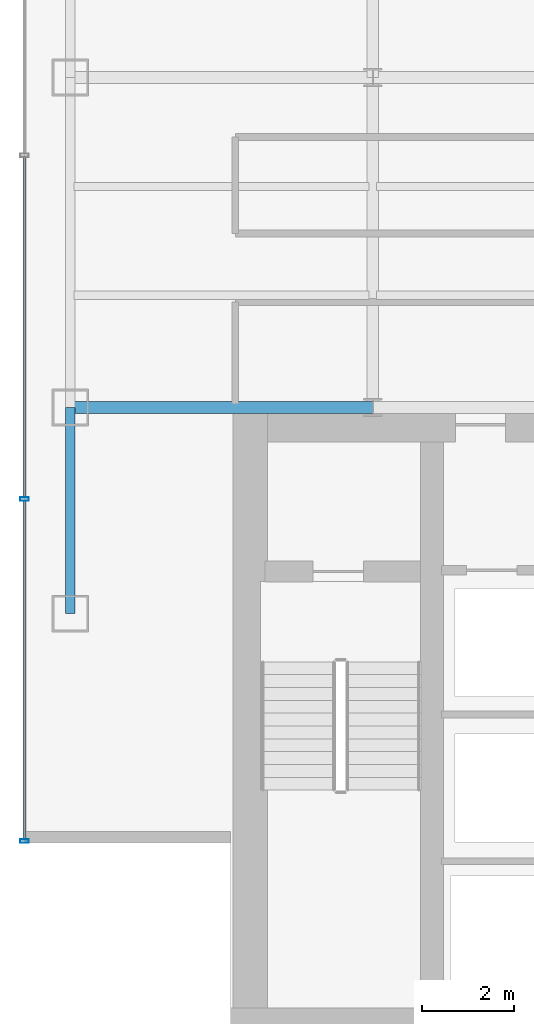
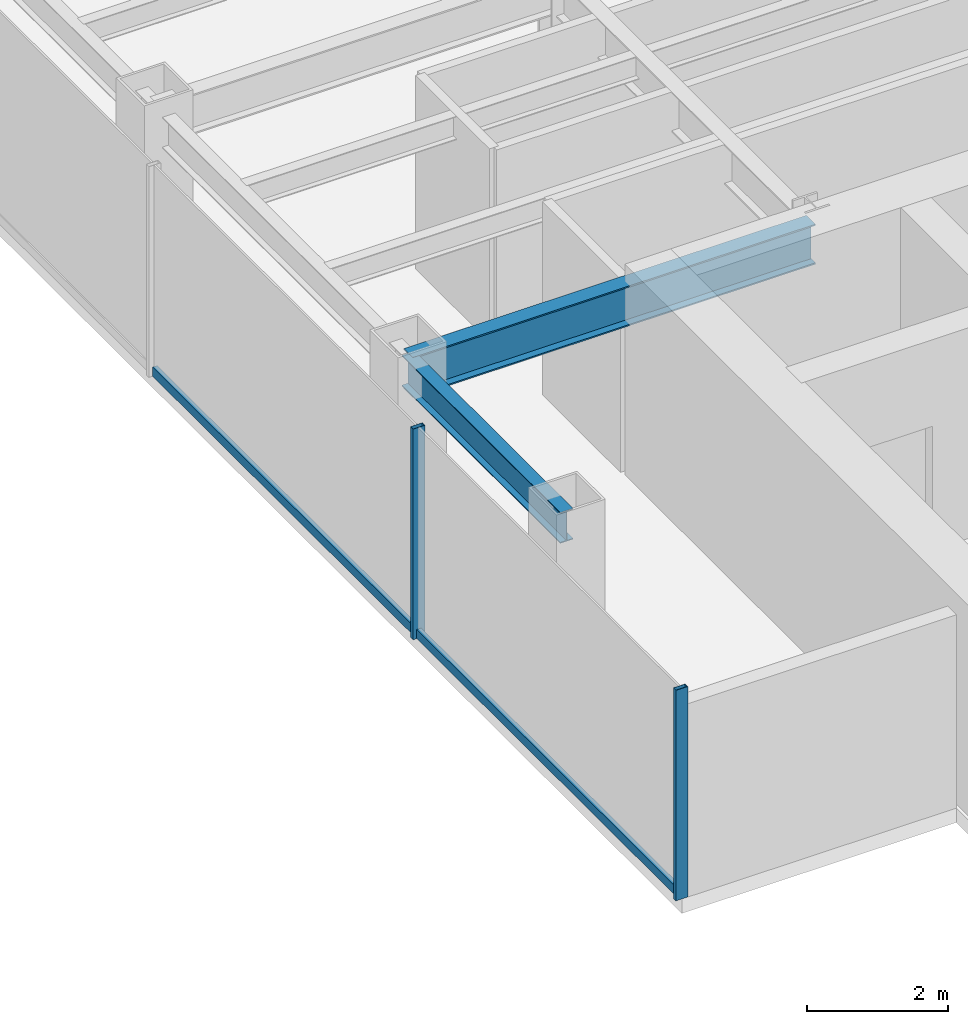
# One storey, part 2 of 26: 4 members, 2 beams, 1 element without a shape of its own.
"""IFC4 building model written with IfcOpenShell, lengths in metres."""

from ifc_helpers import new_model, si_unit, derived_unit, direction, frame, origin, origin_2d, place, context, subcontext, project, spatial, hollow_rectangle, i_section, extrude, source, transform, mapped, material, material_profile, profile_set, type_object, element, aggregate, save


model = new_model("IFC4")

# Units and contexts
model_context = context("Model", 3, precision=1e-05, world=origin(), true_north=direction((0.0, 1.0)))
body_context = subcontext(model_context, "Body", "Model", "MODEL_VIEW")
ifc_project = project(units=[si_unit("LENGTHUNIT", "METRE"), si_unit("AREAUNIT", "SQUARE_METRE"), si_unit("VOLUMEUNIT", "CUBIC_METRE"), si_unit("PLANEANGLEUNIT", "RADIAN"), si_unit("MASSUNIT", "GRAM", prefix="KILO"), derived_unit("THERMALTRANSMITTANCEUNIT", [(si_unit("POWERUNIT", "WATT"), 1), (si_unit("LENGTHUNIT", "METRE"), -2), (si_unit("THERMODYNAMICTEMPERATUREUNIT", "KELVIN"), -1)])], contexts=[model_context])

# Site, building, storey
site_placement = place(None, origin())
site = spatial("IfcSite", under=ifc_project, at=site_placement, CompositionType="ELEMENT")
building_placement = place(site_placement, origin())
building = spatial("IfcBuilding", under=site, at=building_placement, Name="Skarnbrae Concourse Arena and Tower", CompositionType="ELEMENT")
storey_placement = place(building_placement, frame((0.0, 0.0, 132.449951171875)))
storey = spatial("IfcBuildingStorey", under=building, at=storey_placement, Name="L33", CompositionType="ELEMENT", Elevation=132.449951171875)

# Beams
ifc_material_1 = material(Name="Steel CSA G40.21 350W", Category="steel")
ifc_material_profile_1 = material_profile(ifc_material_1, i_section(OverallWidth=0.256103515625, OverallDepth=0.693115234375, WebThickness=0.014404296875, FlangeThickness=0.023681640625, at=origin_2d()), Name="W690X170")
ifc_profile_set_1 = profile_set([ifc_material_profile_1], Name="Steel CSA G40.21 350W")
beam_type_1 = type_object("IfcBeamType", Name="BM-GIRD-W690X170", PredefinedType="BEAM", material=ifc_profile_set_1)
shared_shape_1 = source(origin(), body_context, "Body", "SweptSolid", [
    extrude(i_section(OverallWidth=0.256103515625, OverallDepth=0.693115234375, WebThickness=0.014404296875, FlangeThickness=0.023681640625, at=origin_2d()), origin(), (0.0, 0.0, 1.0), 6.60009765625),
])
beam_1_placement = place(storey_placement, frame((1.0, 14.0, 3.003662109375), z_axis=(1.0, 0.0, 0.0), x_axis=(0.0, 1.0, 0.0)))
element("IfcBeam", 1, at=beam_1_placement, inside=storey, type_object=beam_type_1, Name="L33 Primary E-W girder Y14.0-1", PredefinedType="BEAM", context=body_context, shape_type="MappedRepresentation", body=[
    mapped(shared_shape_1, transform((0.0, 0.0, 0.0))),
])
ifc_material_profile_2 = material_profile(ifc_material_1, i_section(OverallWidth=0.208984375, OverallDepth=0.532958984375, WebThickness=0.01025390625, FlangeThickness=0.015625, at=origin_2d()), Name="W530X92")
ifc_profile_set_2 = profile_set([ifc_material_profile_2], Name="Steel CSA G40.21 350W")
beam_type_2 = type_object("IfcBeamType", Name="BM-SPAN-W530X92", PredefinedType="SPANDREL", material=ifc_profile_set_2)
shared_shape_2 = source(origin(), body_context, "Body", "SweptSolid", [
    extrude(i_section(OverallWidth=0.208984375, OverallDepth=0.532958984375, WebThickness=0.01025390625, FlangeThickness=0.015625, at=origin_2d()), origin(), (0.0, 0.0, 1.0), 4.5),
])
beam_2_placement = place(storey_placement, frame((1.0, 9.5, 3.08349609375), z_axis=(0.0, 1.0, 0.0), x_axis=(-1.0, 0.0, 0.0)))
element("IfcBeam", 2, at=beam_2_placement, inside=storey, type_object=beam_type_2, Name="L33 Perimeter spandrel X1.0-1", PredefinedType="SPANDREL", context=body_context, shape_type="MappedRepresentation", body=[
    mapped(shared_shape_2, transform((0.0, 0.0, 0.0))),
])

# Curtain wall, members
ifc_material_2 = material(Name="Bronze anodised aluminium 6063-T6", Category="aluminium")
curtain_wall_type = type_object("IfcCurtainWallType", Name="CW-SYS-04-MIDZONE", PredefinedType="USERDEFINED", material=ifc_material_2)
curtain_wall_placement = place(storey_placement, origin())
curtain_wall = element("IfcCurtainWall", 3, at=curtain_wall_placement, inside=storey, type_object=curtain_wall_type, Name="L33 Unitised curtain wall CW-L33-E19", ObjectType="UNITISED CURTAIN WALL", PredefinedType="USERDEFINED")
ifc_material_profile_3 = material_profile(ifc_material_2, hollow_rectangle(XDim=0.074951171875, YDim=0.195068359375, WallThickness=0.00439453125, at=origin_2d()), Name="ALU-MULL-75X195")
ifc_profile_set_3 = profile_set([ifc_material_profile_3], Name="Bronze anodised aluminium 6063-T6")
member_type_1 = type_object("IfcMemberType", Name="CWM-CW-04", PredefinedType="MULLION", material=ifc_profile_set_3)
shared_shape_3 = source(origin(), body_context, "Body", "SweptSolid", [
    extrude(hollow_rectangle(XDim=0.074951171875, YDim=0.195068359375, WallThickness=0.00439453125, at=origin_2d()), origin(), (0.0, 0.0, 1.0), 3.650146484375),
])
member_1_placement = place(storey_placement, frame((0.0, 12.0, 0.0), z_axis=(0.0, 0.0, 1.0), x_axis=(0.0, -1.0, 0.0)))
member_1 = element("IfcMember", 4, at=member_1_placement, type_object=member_type_1, Name="CW-L33-E19 Mullion 4", PredefinedType="MULLION", context=body_context, shape_type="MappedRepresentation", body=[
    mapped(shared_shape_3, transform((0.0, 0.0, 0.0))),
])
member_2_placement = place(storey_placement, frame((0.0, 4.53759765625, 0.0), z_axis=(0.0, 0.0, 1.0), x_axis=(0.0, -1.0, 0.0)))
member_2 = element("IfcMember", 5, at=member_2_placement, type_object=member_type_1, Name="CW-L33-E19 Mullion 5", PredefinedType="MULLION", context=body_context, shape_type="MappedRepresentation", body=[
    mapped(shared_shape_3, transform((0.0, 0.0, 0.0))),
])
ifc_material_profile_4 = material_profile(ifc_material_2, hollow_rectangle(XDim=0.074951171875, YDim=0.159912109375, WallThickness=0.00439453125, at=origin_2d()), Name="ALU-TRAN-75X160")
ifc_profile_set_4 = profile_set([ifc_material_profile_4], Name="Bronze anodised aluminium 6063-T6")
member_type_2 = type_object("IfcMemberType", Name="CWT-CW-04", PredefinedType="USERDEFINED", material=ifc_profile_set_4)
shared_shape_4 = source(origin(), body_context, "Body", "SweptSolid", [
    extrude(hollow_rectangle(XDim=0.074951171875, YDim=0.159912109375, WallThickness=0.00439453125, at=origin_2d()), origin(), (0.0, 0.0, 1.0), 7.387451171875),
])
member_3_placement = place(storey_placement, frame((0.0, 11.96240234375, 0.080078125), z_axis=(0.0, -1.0, 0.0), x_axis=(1.0, 0.0, 0.0)))
member_3 = element("IfcMember", 6, at=member_3_placement, type_object=member_type_2, Name="CW-L33-E19 Transom 4", ObjectType="TRANSOM", PredefinedType="USERDEFINED", context=body_context, shape_type="MappedRepresentation", body=[
    mapped(shared_shape_4, transform((0.0, 0.0, 0.0))),
])
shared_shape_5 = source(origin(), body_context, "Body", "SweptSolid", [
    extrude(hollow_rectangle(XDim=0.074951171875, YDim=0.159912109375, WallThickness=0.00439453125, at=origin_2d()), origin(), (0.0, 0.0, 1.0), 7.4248046875),
])
member_4_placement = place(storey_placement, frame((0.0, 19.46240234375, 0.080078125), z_axis=(0.0, -1.0, 0.0), x_axis=(1.0, 0.0, 0.0)))
member_4 = element("IfcMember", 7, at=member_4_placement, type_object=member_type_2, Name="CW-L33-E19 Transom 3", ObjectType="TRANSOM", PredefinedType="USERDEFINED", context=body_context, shape_type="MappedRepresentation", body=[
    mapped(shared_shape_5, transform((0.0, 0.0, 0.0))),
])
aggregate(curtain_wall, [member_1, member_2, member_4, member_3])

save(model, "model.ifc")
